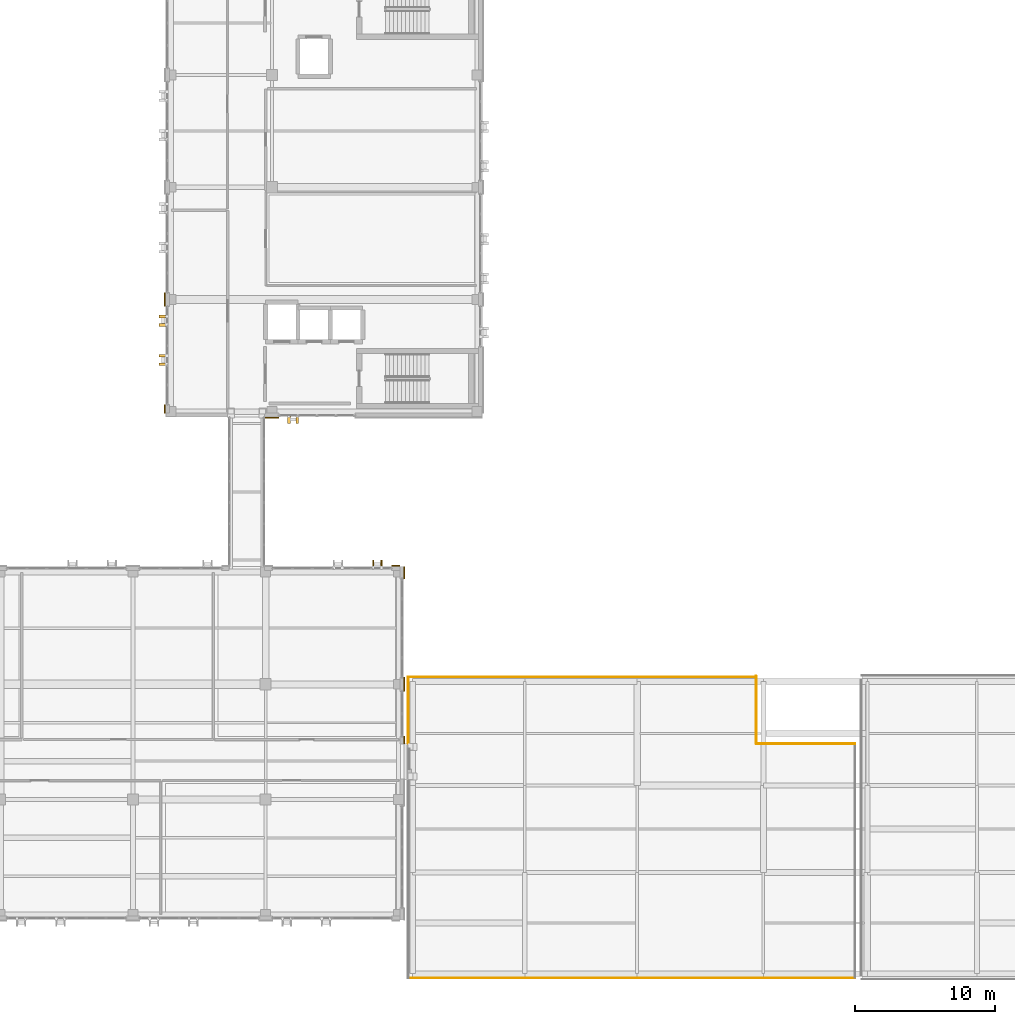
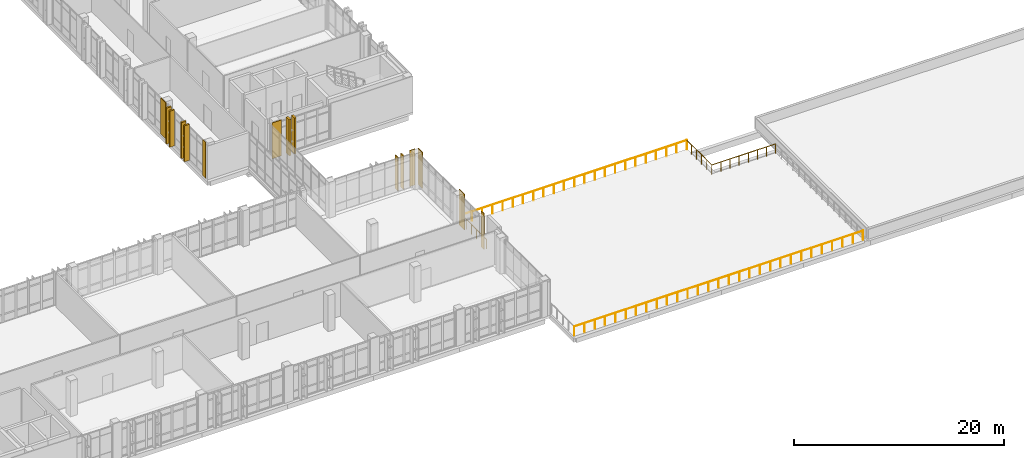
# One storey, part 153 of 165: 13 coverings, 5 railings, 2 shading devices.
"""IFC4 building model written with IfcOpenShell, lengths in metres."""

from ifc_helpers import new_model, si_unit, direction, frame, origin, origin_2d, place, context, subcontext, project, spatial, rectangle, circle, extrude, material, layer, layer_set, type_object, element, save


model = new_model("IFC4")

# Units and contexts
model_context = context("Model", 3, precision=1e-05, world=origin(), true_north=direction((0.0, 1.0)))
body_context = subcontext(model_context, "Body", "Model", "MODEL_VIEW")
ifc_project = project(units=[si_unit("LENGTHUNIT", "METRE"), si_unit("AREAUNIT", "SQUARE_METRE"), si_unit("VOLUMEUNIT", "CUBIC_METRE"), si_unit("PLANEANGLEUNIT", "RADIAN"), si_unit("MASSUNIT", "GRAM", prefix="KILO")], contexts=[model_context])

# Site, building, storey
site_placement = place(None, origin())
site = spatial("IfcSite", under=ifc_project, at=site_placement, CompositionType="ELEMENT")
building_placement = place(site_placement, origin())
building = spatial("IfcBuilding", under=site, at=building_placement, Name="Qalavern Law Courts", CompositionType="ELEMENT")
storey_placement = place(building_placement, frame((0.0, 0.0, 14.39990234375)))
storey = spatial("IfcBuildingStorey", under=building, at=storey_placement, Name="L03", CompositionType="ELEMENT", Elevation=14.39990234375)

# Railings
ifc_material_1 = material(Name="Steel S355", Category="steel")
railing_type = type_object("IfcRailingType", Name="ENV-BAL-1120", PredefinedType="BALUSTRADE", material=ifc_material_1)
railing_1_placement = place(storey_placement, frame((133.320068359375, 1.080078125, 0.0)))
element("IfcRailing", 1, at=railing_1_placement, inside=storey, type_object=railing_type, Name="V6 outdoor terrace safety guard L03-1", PredefinedType="BALUSTRADE", context=body_context, shape_type="SweptSolid", body=[
    extrude(circle(Radius=0.02392578125, at=origin_2d()), frame((0.0, 0.0, 1.09619140625), z_axis=(-1.0, 0.0, 0.0), x_axis=(0.0, -1.0, 0.0)), (0.0, 0.0, 1.0), 31.820068359375),
    extrude(circle(Radius=0.02099609375, at=origin_2d()), origin(), (0.0, 0.0, 1.0), 1.072021484375),
    extrude(circle(Radius=0.02099609375, at=origin_2d()), frame((-1.136474609375, 0.0, 0.0)), (0.0, 0.0, 1.0), 1.072021484375),
    extrude(circle(Radius=0.02099609375, at=origin_2d()), frame((-2.27294921875, 0.0, 0.0)), (0.0, 0.0, 1.0), 1.072021484375),
    extrude(circle(Radius=0.02099609375, at=origin_2d()), frame((-3.4091796875, 0.0, 0.0)), (0.0, 0.0, 1.0), 1.072021484375),
    extrude(circle(Radius=0.02099609375, at=origin_2d()), frame((-4.545654296875, 0.0, 0.0)), (0.0, 0.0, 1.0), 1.072021484375),
    extrude(circle(Radius=0.02099609375, at=origin_2d()), frame((-5.68212890625, 0.0, 0.0)), (0.0, 0.0, 1.0), 1.072021484375),
    extrude(circle(Radius=0.02099609375, at=origin_2d()), frame((-6.818603515625, 0.0, 0.0)), (0.0, 0.0, 1.0), 1.072021484375),
    extrude(circle(Radius=0.02099609375, at=origin_2d()), frame((-7.955078125, 0.0, 0.0)), (0.0, 0.0, 1.0), 1.072021484375),
    extrude(circle(Radius=0.02099609375, at=origin_2d()), frame((-9.091552734375, 0.0, 0.0)), (0.0, 0.0, 1.0), 1.072021484375),
    extrude(circle(Radius=0.02099609375, at=origin_2d()), frame((-10.227783203125, 0.0, 0.0)), (0.0, 0.0, 1.0), 1.072021484375),
    extrude(circle(Radius=0.02099609375, at=origin_2d()), frame((-11.3642578125, 0.0, 0.0)), (0.0, 0.0, 1.0), 1.072021484375),
    extrude(circle(Radius=0.02099609375, at=origin_2d()), frame((-12.500732421875, 0.0, 0.0)), (0.0, 0.0, 1.0), 1.072021484375),
    extrude(circle(Radius=0.02099609375, at=origin_2d()), frame((-13.63720703125, 0.0, 0.0)), (0.0, 0.0, 1.0), 1.072021484375),
    extrude(circle(Radius=0.02099609375, at=origin_2d()), frame((-14.773681640625, 0.0, 0.0)), (0.0, 0.0, 1.0), 1.072021484375),
    extrude(circle(Radius=0.02099609375, at=origin_2d()), frame((-15.91015625, 0.0, 0.0)), (0.0, 0.0, 1.0), 1.072021484375),
    extrude(circle(Radius=0.02099609375, at=origin_2d()), frame((-17.04638671875, 0.0, 0.0)), (0.0, 0.0, 1.0), 1.072021484375),
    extrude(circle(Radius=0.02099609375, at=origin_2d()), frame((-18.182861328125, 0.0, 0.0)), (0.0, 0.0, 1.0), 1.072021484375),
    extrude(circle(Radius=0.02099609375, at=origin_2d()), frame((-19.3193359375, 0.0, 0.0)), (0.0, 0.0, 1.0), 1.072021484375),
    extrude(circle(Radius=0.02099609375, at=origin_2d()), frame((-20.455810546875, 0.0, 0.0)), (0.0, 0.0, 1.0), 1.072021484375),
    extrude(circle(Radius=0.02099609375, at=origin_2d()), frame((-21.59228515625, 0.0, 0.0)), (0.0, 0.0, 1.0), 1.072021484375),
    extrude(circle(Radius=0.02099609375, at=origin_2d()), frame((-22.728515625, 0.0, 0.0)), (0.0, 0.0, 1.0), 1.072021484375),
    extrude(circle(Radius=0.02099609375, at=origin_2d()), frame((-23.864990234375, 0.0, 0.0)), (0.0, 0.0, 1.0), 1.072021484375),
    extrude(circle(Radius=0.02099609375, at=origin_2d()), frame((-25.00146484375, 0.0, 0.0)), (0.0, 0.0, 1.0), 1.072021484375),
    extrude(circle(Radius=0.02099609375, at=origin_2d()), frame((-26.137939453125, 0.0, 0.0)), (0.0, 0.0, 1.0), 1.072021484375),
    extrude(circle(Radius=0.02099609375, at=origin_2d()), frame((-27.2744140625, 0.0, 0.0)), (0.0, 0.0, 1.0), 1.072021484375),
    extrude(circle(Radius=0.02099609375, at=origin_2d()), frame((-28.410888671875, 0.0, 0.0)), (0.0, 0.0, 1.0), 1.072021484375),
    extrude(circle(Radius=0.02099609375, at=origin_2d()), frame((-29.547119140625, 0.0, 0.0)), (0.0, 0.0, 1.0), 1.072021484375),
    extrude(circle(Radius=0.02099609375, at=origin_2d()), frame((-30.68359375, 0.0, 0.0)), (0.0, 0.0, 1.0), 1.072021484375),
    extrude(circle(Radius=0.02099609375, at=origin_2d()), frame((-31.820068359375, 0.0, 0.0)), (0.0, 0.0, 1.0), 1.072021484375),
])
railing_2_placement = place(storey_placement, frame((101.5, 17.800048828125, 0.0)))
element("IfcRailing", 2, at=railing_2_placement, inside=storey, type_object=railing_type, Name="V6 outdoor terrace safety guard L03-3", PredefinedType="BALUSTRADE", context=body_context, shape_type="SweptSolid", body=[
    extrude(circle(Radius=0.02392578125, at=origin_2d()), frame((0.0, 0.0, 1.09619140625), z_axis=(0.0, 1.0, 0.0), x_axis=(-1.0, 0.0, 0.0)), (0.0, 0.0, 1.0), 4.719970703125),
    extrude(circle(Radius=0.02099609375, at=origin_2d()), origin(), (0.0, 0.0, 1.0), 1.072021484375),
    extrude(circle(Radius=0.02099609375, at=origin_2d()), frame((0.0, 0.944091796875, 0.0)), (0.0, 0.0, 1.0), 1.072021484375),
    extrude(circle(Radius=0.02099609375, at=origin_2d()), frame((0.0, 1.887939453125, 0.0)), (0.0, 0.0, 1.0), 1.072021484375),
    extrude(circle(Radius=0.02099609375, at=origin_2d()), frame((0.0, 2.83203125, 0.0)), (0.0, 0.0, 1.0), 1.072021484375),
    extrude(circle(Radius=0.02099609375, at=origin_2d()), frame((0.0, 3.77587890625, 0.0)), (0.0, 0.0, 1.0), 1.072021484375),
    extrude(circle(Radius=0.02099609375, at=origin_2d()), frame((0.0, 4.719970703125, 0.0)), (0.0, 0.0, 1.0), 1.072021484375),
])
railing_3_placement = place(storey_placement, frame((101.5, 22.52001953125, 0.0)))
element("IfcRailing", 3, at=railing_3_placement, inside=storey, type_object=railing_type, Name="V6 outdoor terrace safety guard L03-4", PredefinedType="BALUSTRADE", context=body_context, shape_type="SweptSolid", body=[
    extrude(circle(Radius=0.02392578125, at=origin_2d()), frame((0.0, 0.0, 1.09619140625), z_axis=(1.0, 0.0, 0.0), x_axis=(0.0, 1.0, 0.0)), (0.0, 0.0, 1.0), 24.780029296875),
    extrude(circle(Radius=0.02099609375, at=origin_2d()), origin(), (0.0, 0.0, 1.0), 1.072021484375),
    extrude(circle(Radius=0.02099609375, at=origin_2d()), frame((1.12646484375, 0.0, 0.0)), (0.0, 0.0, 1.0), 1.072021484375),
    extrude(circle(Radius=0.02099609375, at=origin_2d()), frame((2.252685546875, 0.0, 0.0)), (0.0, 0.0, 1.0), 1.072021484375),
    extrude(circle(Radius=0.02099609375, at=origin_2d()), frame((3.379150390625, 0.0, 0.0)), (0.0, 0.0, 1.0), 1.072021484375),
    extrude(circle(Radius=0.02099609375, at=origin_2d()), frame((4.50537109375, 0.0, 0.0)), (0.0, 0.0, 1.0), 1.072021484375),
    extrude(circle(Radius=0.02099609375, at=origin_2d()), frame((5.6318359375, 0.0, 0.0)), (0.0, 0.0, 1.0), 1.072021484375),
    extrude(circle(Radius=0.02099609375, at=origin_2d()), frame((6.75830078125, 0.0, 0.0)), (0.0, 0.0, 1.0), 1.072021484375),
    extrude(circle(Radius=0.02099609375, at=origin_2d()), frame((7.884521484375, 0.0, 0.0)), (0.0, 0.0, 1.0), 1.072021484375),
    extrude(circle(Radius=0.02099609375, at=origin_2d()), frame((9.010986328125, 0.0, 0.0)), (0.0, 0.0, 1.0), 1.072021484375),
    extrude(circle(Radius=0.02099609375, at=origin_2d()), frame((10.13720703125, 0.0, 0.0)), (0.0, 0.0, 1.0), 1.072021484375),
    extrude(circle(Radius=0.02099609375, at=origin_2d()), frame((11.263671875, 0.0, 0.0)), (0.0, 0.0, 1.0), 1.072021484375),
    extrude(circle(Radius=0.02099609375, at=origin_2d()), frame((12.39013671875, 0.0, 0.0)), (0.0, 0.0, 1.0), 1.072021484375),
    extrude(circle(Radius=0.02099609375, at=origin_2d()), frame((13.516357421875, 0.0, 0.0)), (0.0, 0.0, 1.0), 1.072021484375),
    extrude(circle(Radius=0.02099609375, at=origin_2d()), frame((14.642822265625, 0.0, 0.0)), (0.0, 0.0, 1.0), 1.072021484375),
    extrude(circle(Radius=0.02099609375, at=origin_2d()), frame((15.76904296875, 0.0, 0.0)), (0.0, 0.0, 1.0), 1.072021484375),
    extrude(circle(Radius=0.02099609375, at=origin_2d()), frame((16.8955078125, 0.0, 0.0)), (0.0, 0.0, 1.0), 1.072021484375),
    extrude(circle(Radius=0.02099609375, at=origin_2d()), frame((18.021728515625, 0.0, 0.0)), (0.0, 0.0, 1.0), 1.072021484375),
    extrude(circle(Radius=0.02099609375, at=origin_2d()), frame((19.148193359375, 0.0, 0.0)), (0.0, 0.0, 1.0), 1.072021484375),
    extrude(circle(Radius=0.02099609375, at=origin_2d()), frame((20.274658203125, 0.0, 0.0)), (0.0, 0.0, 1.0), 1.072021484375),
    extrude(circle(Radius=0.02099609375, at=origin_2d()), frame((21.40087890625, 0.0, 0.0)), (0.0, 0.0, 1.0), 1.072021484375),
    extrude(circle(Radius=0.02099609375, at=origin_2d()), frame((22.52734375, 0.0, 0.0)), (0.0, 0.0, 1.0), 1.072021484375),
    extrude(circle(Radius=0.02099609375, at=origin_2d()), frame((23.653564453125, 0.0, 0.0)), (0.0, 0.0, 1.0), 1.072021484375),
    extrude(circle(Radius=0.02099609375, at=origin_2d()), frame((24.780029296875, 0.0, 0.0)), (0.0, 0.0, 1.0), 1.072021484375),
])
railing_4_placement = place(storey_placement, frame((126.280029296875, 22.580078125, 0.0)))
element("IfcRailing", 4, at=railing_4_placement, inside=storey, type_object=railing_type, Name="V6 outdoor terrace safety guard L03-5", PredefinedType="BALUSTRADE", context=body_context, shape_type="SweptSolid", body=[
    extrude(circle(Radius=0.02392578125, at=origin_2d()), frame((0.0, 0.0, 1.09619140625), z_axis=(0.0, -1.0, 0.0), x_axis=(1.0, 0.0, 0.0)), (0.0, 0.0, 1.0), 4.81005859375),
    extrude(circle(Radius=0.02099609375, at=origin_2d()), origin(), (0.0, 0.0, 1.0), 1.072021484375),
    extrude(circle(Radius=0.02099609375, at=origin_2d()), frame((0.0, -0.9619140625, 0.0)), (0.0, 0.0, 1.0), 1.072021484375),
    extrude(circle(Radius=0.02099609375, at=origin_2d()), frame((0.0, -1.924072265625, 0.0)), (0.0, 0.0, 1.0), 1.072021484375),
    extrude(circle(Radius=0.02099609375, at=origin_2d()), frame((0.0, -2.885986328125, 0.0)), (0.0, 0.0, 1.0), 1.072021484375),
    extrude(circle(Radius=0.02099609375, at=origin_2d()), frame((0.0, -3.84814453125, 0.0)), (0.0, 0.0, 1.0), 1.072021484375),
    extrude(circle(Radius=0.02099609375, at=origin_2d()), frame((0.0, -4.81005859375, 0.0)), (0.0, 0.0, 1.0), 1.072021484375),
])
railing_5_placement = place(storey_placement, frame((126.280029296875, 17.77001953125, 0.0)))
element("IfcRailing", 5, at=railing_5_placement, inside=storey, type_object=railing_type, Name="V6 outdoor terrace safety guard L03-6", PredefinedType="BALUSTRADE", context=body_context, shape_type="SweptSolid", body=[
    extrude(circle(Radius=0.02392578125, at=origin_2d()), frame((0.0, 0.0, 1.09619140625), z_axis=(1.0, 0.0, 0.0), x_axis=(0.0, 1.0, 0.0)), (0.0, 0.0, 1.0), 7.0400390625),
    extrude(circle(Radius=0.02099609375, at=origin_2d()), origin(), (0.0, 0.0, 1.0), 1.072021484375),
    extrude(circle(Radius=0.02099609375, at=origin_2d()), frame((1.005615234375, 0.0, 0.0)), (0.0, 0.0, 1.0), 1.072021484375),
    extrude(circle(Radius=0.02099609375, at=origin_2d()), frame((2.011474609375, 0.0, 0.0)), (0.0, 0.0, 1.0), 1.072021484375),
    extrude(circle(Radius=0.02099609375, at=origin_2d()), frame((3.01708984375, 0.0, 0.0)), (0.0, 0.0, 1.0), 1.072021484375),
    extrude(circle(Radius=0.02099609375, at=origin_2d()), frame((4.02294921875, 0.0, 0.0)), (0.0, 0.0, 1.0), 1.072021484375),
    extrude(circle(Radius=0.02099609375, at=origin_2d()), frame((5.028564453125, 0.0, 0.0)), (0.0, 0.0, 1.0), 1.072021484375),
    extrude(circle(Radius=0.02099609375, at=origin_2d()), frame((6.034423828125, 0.0, 0.0)), (0.0, 0.0, 1.0), 1.072021484375),
    extrude(circle(Radius=0.02099609375, at=origin_2d()), frame((7.0400390625, 0.0, 0.0)), (0.0, 0.0, 1.0), 1.072021484375),
])

# Coverings
ifc_material_2 = material(Name="Precast concrete C40/50", Category="concrete")
ifc_layer_1 = layer(ifc_material_2, 0.199951171875)
ifc_layer_set_1 = layer_set([ifc_layer_1], Name="Precast concrete C40/50")
covering_type_1 = type_object("IfcCoveringType", Name="ENV-BLD-1", PredefinedType="CLADDING", material=ifc_layer_set_1)
for number, where, z_axis, x_axis, name in (
    (6, (93.0, 40.857421875, 0.005126953125), (0.0, 0.0, 1.0), (0.0, -1.0, 0.0), "Absheron stone facade blade 0623"),
    (7, (93.60009765625, 40.857421875, 0.005126953125), (0.0, 0.0, 1.0), (0.0, -1.0, 0.0), "Absheron stone facade blade 0624"),
    (8, (84.03759765625, 48.199951171875, 0.005126953125), (0.0, 0.0, 1.0), (-1.0, 0.0, 0.0), "Absheron stone facade blade 0663"),
    (9, (84.03759765625, 47.60009765625, 0.005126953125), (0.0, 0.0, 1.0), (-1.0, 0.0, 0.0), "Absheron stone facade blade 0664"),
    (10, (84.03759765625, 45.39990234375, 0.005126953125), (0.0, 0.0, 1.0), (-1.0, 0.0, 0.0), "Absheron stone facade blade 0665"),
    (11, (84.03759765625, 44.800048828125, 0.005126953125), (0.0, 0.0, 1.0), (-1.0, 0.0, 0.0), "Absheron stone facade blade 0666"),
):
    element("IfcCovering", number, at=place(storey_placement, frame(where, z_axis=z_axis, x_axis=x_axis)), inside=storey, type_object=covering_type_1, Name=name, PredefinedType="CLADDING", context=body_context, shape_type="SweptSolid", body=[
        extrude(rectangle(XDim=0.5400390625, YDim=0.199951171875, at=origin_2d()), origin(), (0.0, 0.0, 1.0), 4.18994140625),
    ])
ifc_layer_2 = layer(ifc_material_2, 0.072021484375)
ifc_layer_set_2 = layer_set([ifc_layer_2], Name="Precast concrete C40/50")
covering_type_2 = type_object("IfcCoveringType", Name="ENV-CLD-2", PredefinedType="CLADDING", material=ifc_layer_set_2)
covering_1_placement = place(storey_placement, frame((101.23291015625, 18.02490234375, 0.01025390625), z_axis=(0.0, 0.0, 1.0), x_axis=(0.0, 1.0, 0.0)))
element("IfcCovering", 12, at=covering_1_placement, inside=storey, type_object=covering_type_2, Name="V2 Absheron limestone pier facing L03 east 1", PredefinedType="CLADDING", context=body_context, shape_type="SweptSolid", body=[
    extrude(rectangle(XDim=0.530029296875, YDim=0.072021484375, at=origin_2d()), origin(), (0.0, 0.0, 1.0), 4.179931640625),
])
covering_2_placement = place(storey_placement, frame((101.23291015625, 22.0, 0.01025390625), z_axis=(0.0, 0.0, 1.0), x_axis=(0.0, 1.0, 0.0)))
element("IfcCovering", 13, at=covering_2_placement, inside=storey, type_object=covering_type_2, Name="V2 Absheron limestone pier facing L03 east 2", PredefinedType="CLADDING", context=body_context, shape_type="SweptSolid", body=[
    extrude(rectangle(XDim=0.97998046875, YDim=0.072021484375, at=origin_2d()), origin(), (0.0, 0.0, 1.0), 4.179931640625),
])
covering_3_placement = place(storey_placement, frame((101.23291015625, 29.949951171875, 0.01025390625), z_axis=(0.0, 0.0, 1.0), x_axis=(0.0, 1.0, 0.0)))
element("IfcCovering", 14, at=covering_3_placement, inside=storey, type_object=covering_type_2, Name="V2 Absheron limestone pier facing L03 east 3", PredefinedType="CLADDING", context=body_context, shape_type="SweptSolid", body=[
    extrude(rectangle(XDim=0.8798828125, YDim=0.072021484375, at=origin_2d()), origin(), (0.0, 0.0, 1.0), 4.179931640625),
])
covering_4_placement = place(storey_placement, frame((100.60498046875, 30.43310546875, 0.01025390625), z_axis=(0.0, 0.0, 1.0), x_axis=(-1.0, 0.0, 0.0)))
element("IfcCovering", 15, at=covering_4_placement, inside=storey, type_object=covering_type_2, Name="V2 Absheron limestone pier facing L03 north 1", PredefinedType="CLADDING", context=body_context, shape_type="SweptSolid", body=[
    extrude(rectangle(XDim=0.590087890625, YDim=0.072021484375, at=origin_2d()), origin(), (0.0, 0.0, 1.0), 4.179931640625),
])
covering_5_placement = place(storey_placement, frame((91.77490234375, 40.987060546875, 0.01025390625), z_axis=(0.0, 0.0, 1.0), x_axis=(1.0, 0.0, 0.0)))
element("IfcCovering", 16, at=covering_5_placement, inside=storey, type_object=covering_type_2, Name="V4 Absheron limestone pier facing L03 south 1", PredefinedType="CLADDING", context=body_context, shape_type="SweptSolid", body=[
    extrude(rectangle(XDim=1.030029296875, YDim=0.072021484375, at=origin_2d()), origin(), (0.0, 0.0, 1.0), 4.179931640625),
])
covering_6_placement = place(storey_placement, frame((84.1669921875, 49.39990234375, 0.01025390625), z_axis=(0.0, 0.0, 1.0), x_axis=(0.0, -1.0, 0.0)))
element("IfcCovering", 17, at=covering_6_placement, inside=storey, type_object=covering_type_2, Name="V4 Absheron limestone pier facing L03 west 6", PredefinedType="CLADDING", context=body_context, shape_type="SweptSolid", body=[
    extrude(rectangle(XDim=0.97998046875, YDim=0.072021484375, at=origin_2d()), origin(), (0.0, 0.0, 1.0), 4.179931640625),
])
covering_7_placement = place(storey_placement, frame((84.1669921875, 41.614990234375, 0.01025390625), z_axis=(0.0, 0.0, 1.0), x_axis=(0.0, -1.0, 0.0)))
element("IfcCovering", 18, at=covering_7_placement, inside=storey, type_object=covering_type_2, Name="V4 Absheron limestone pier facing L03 west 7", PredefinedType="CLADDING", context=body_context, shape_type="SweptSolid", body=[
    extrude(rectangle(XDim=0.590087890625, YDim=0.072021484375, at=origin_2d()), origin(), (0.0, 0.0, 1.0), 4.179931640625),
])

# Shading devices
shading_device_type = type_object("IfcShadingDeviceType", Name="ENV-FIN-1", PredefinedType="USERDEFINED", material=ifc_material_2)
for number, where, z_axis, x_axis, name in (
    (19, (99.60009765625, 30.5625, 0.01025390625), (0.0, 0.0, 1.0), (0.0, 1.0, 0.0), "Hall solar shading fin 0119"),
    (20, (99.0, 30.5625, 0.01025390625), (0.0, 0.0, 1.0), (0.0, 1.0, 0.0), "Hall solar shading fin 0120"),
):
    element("IfcShadingDevice", number, at=place(storey_placement, frame(where, z_axis=z_axis, x_axis=x_axis)), inside=storey, type_object=shading_device_type, Name=name, ObjectType="FIN", PredefinedType="USERDEFINED", context=body_context, shape_type="SweptSolid", body=[
        extrude(rectangle(XDim=0.5400390625, YDim=0.0849609375, at=origin_2d()), origin(), (0.0, 0.0, 1.0), 3.89990234375),
    ])

save(model, "model.ifc")
